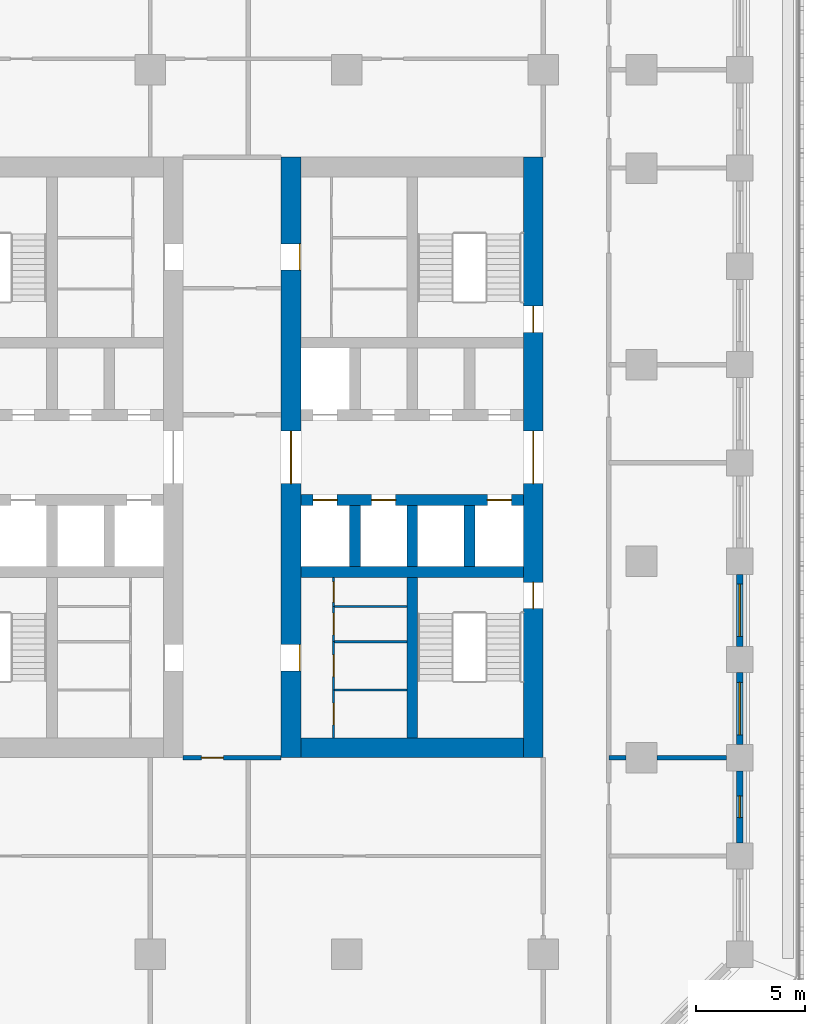
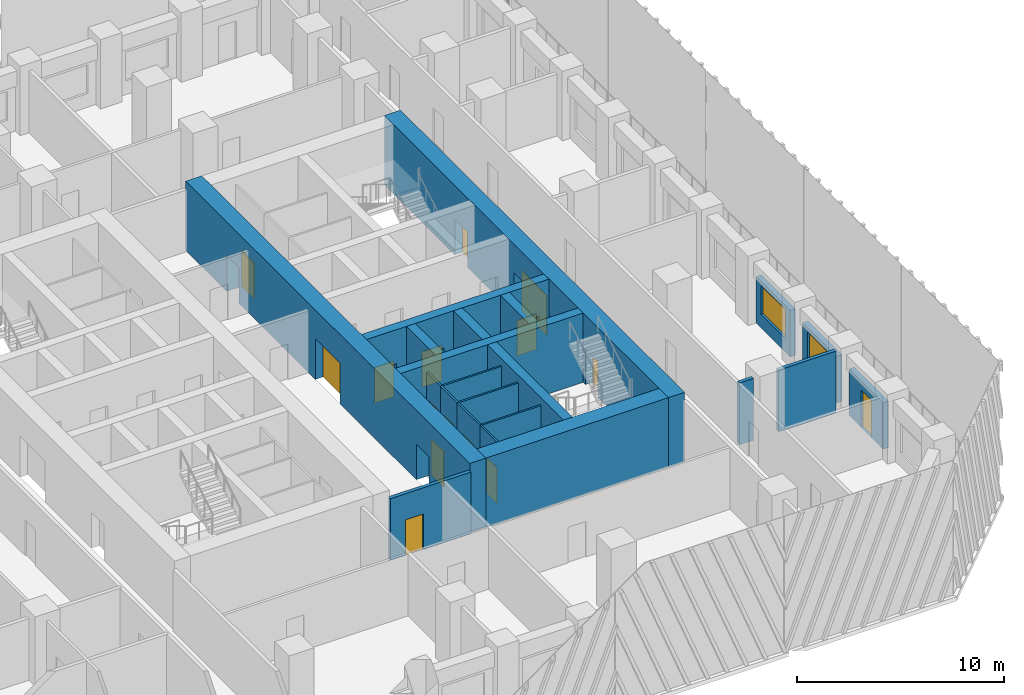
# One storey, part 5 of 19: 22 walls, 15 doors, 2 windows, 17 openings.
"""IFC4 building model written with IfcOpenShell, lengths in metres."""

from ifc_helpers import new_model, si_unit, direction, frame, frame_2d, origin, place, context, subcontext, project, spatial, rectangle, extrude, material, layer, layer_set, type_object, element, fill, save


model = new_model("IFC4")

# Units and contexts
model_context = context("Model", 3, precision=1e-05, world=origin(), true_north=direction((0.0, 1.0)))
body_context = subcontext(model_context, "Body", "Model", "MODEL_VIEW")
ifc_project = project(units=[si_unit("LENGTHUNIT", "METRE"), si_unit("AREAUNIT", "SQUARE_METRE"), si_unit("VOLUMEUNIT", "CUBIC_METRE"), si_unit("PLANEANGLEUNIT", "RADIAN"), si_unit("MASSUNIT", "GRAM", prefix="KILO")], contexts=[model_context])

# Site, building, storey
site_placement = place(None, origin())
site = spatial("IfcSite", under=ifc_project, at=site_placement, CompositionType="ELEMENT")
building_placement = place(site_placement, origin())
building = spatial("IfcBuilding", under=site, at=building_placement, Name="Corbel Stack Research Tower", CompositionType="ELEMENT")
storey_placement = place(building_placement, frame((0.0, 0.0, 133.10009765625)))
storey = spatial("IfcBuildingStorey", under=building, at=storey_placement, Name="L30", CompositionType="ELEMENT", Elevation=133.10009765625)

# Wall
ifc_material_1 = material(Name="Concrete C70/85", Category="concrete")
ifc_layer_1 = layer(ifc_material_1, 0.5)
ifc_layer_set_1 = layer_set([ifc_layer_1], Name="Concrete C70/85")
wall_type_1 = type_object("IfcWallType", Name="CW-500-70", PredefinedType="SHEAR", material=ifc_layer_set_1)
wall_1_placement = place(storey_placement, frame((6.89990234375, -0.5, 0.0), z_axis=(0.0, 0.0, 1.0), x_axis=(1.0, 0.0, 0.0)))
element("IfcWall", 1, at=wall_1_placement, inside=storey, type_object=wall_type_1, Name="East core wall, south row back L30", PredefinedType="SHEAR", context=body_context, shape_type="SweptSolid", body=[
    extrude(rectangle(XDim=10.2001953125, YDim=0.5, at=frame_2d((5.10009765625, 0.0))), origin(), (0.0, 0.0, 1.0), 4.099853515625),
])

# Wall, openings, doors
wall_2_placement = place(storey_placement, frame((6.89990234375, 2.800048828125, 0.0), z_axis=(0.0, 0.0, 1.0), x_axis=(1.0, 0.0, 0.0)))
wall_2 = element("IfcWall", 2, at=wall_2_placement, inside=storey, type_object=wall_type_1, Name="East core wall, lobby south L30", PredefinedType="SHEAR", context=body_context, shape_type="SweptSolid", body=[
    extrude(rectangle(XDim=10.2001953125, YDim=0.5, at=frame_2d((5.10009765625, 0.0))), origin(), (0.0, 0.0, 1.0), 4.099853515625),
])
opening_1_placement = place(wall_2_placement, frame((0.5625, 0.0, 0.0)))
opening_1 = element("IfcOpeningElement", 3, at=opening_1_placement, cuts=wall_2, Name="Opening LD-FS2", PredefinedType="OPENING", context=body_context, shape_type="SweptSolid", body=[
    extrude(rectangle(XDim=1.10009765625, YDim=2.10009765625, at=frame_2d((0.550048828125, 1.050048828125))), frame((0.0, 0.260009765625, 0.0), z_axis=(0.0, -1.0, 0.0), x_axis=(1.0, 0.0, 0.0)), (0.0, 0.0, 1.0), 0.52001953125),
])
opening_2_placement = place(wall_2_placement, frame((3.237548828125, 0.0, 0.0)))
opening_2 = element("IfcOpeningElement", 4, at=opening_2_placement, cuts=wall_2, Name="Opening LD-GL2", PredefinedType="OPENING", context=body_context, shape_type="SweptSolid", body=[
    extrude(rectangle(XDim=1.10009765625, YDim=2.10009765625, at=frame_2d((0.550048828125, 1.050048828125))), frame((0.0, 0.260009765625, 0.0), z_axis=(0.0, -1.0, 0.0), x_axis=(1.0, 0.0, 0.0)), (0.0, 0.0, 1.0), 0.52001953125),
])
opening_3_placement = place(wall_2_placement, frame((8.53759765625, 0.0, 0.0)))
opening_3 = element("IfcOpeningElement", 5, at=opening_3_placement, cuts=wall_2, Name="Opening LD-LR3", PredefinedType="OPENING", context=body_context, shape_type="SweptSolid", body=[
    extrude(rectangle(XDim=1.10009765625, YDim=2.10009765625, at=frame_2d((0.550048828125, 1.050048828125))), frame((0.0, 0.260009765625, 0.0), z_axis=(0.0, -1.0, 0.0), x_axis=(1.0, 0.0, 0.0)), (0.0, 0.0, 1.0), 0.52001953125),
])
ifc_material_2 = material(Name="Stainless steel landing door", Category="steel")
door_type_1 = type_object("IfcDoorType", Name="Lift landing door 1100 x 2100", OperationType="DOUBLE_DOOR_SLIDING", PredefinedType="DOOR", material=ifc_material_2)
door_1_placement = place(opening_1_placement, origin())
door_1 = element("IfcDoor", 6, at=door_1_placement, inside=storey, type_object=door_type_1, Name="Landing door FS2", OperationType="DOUBLE_DOOR_SLIDING", OverallHeight=2.10009765625, OverallWidth=1.10009765625, PredefinedType="DOOR", context=body_context, shape_type="SweptSolid", body=[
    extrude(rectangle(XDim=1.10009765625, YDim=2.10009765625, at=frame_2d((0.550048828125, 1.050048828125))), frame((0.0, 0.02490234375, 0.0), z_axis=(0.0, -1.0, 0.0), x_axis=(1.0, 0.0, 0.0)), (0.0, 0.0, 1.0), 0.050048828125),
])
fill(opening_1, door_1)
door_2_placement = place(opening_2_placement, origin())
door_2 = element("IfcDoor", 7, at=door_2_placement, inside=storey, type_object=door_type_1, Name="Landing door GL2", OperationType="DOUBLE_DOOR_SLIDING", OverallHeight=2.10009765625, OverallWidth=1.10009765625, PredefinedType="DOOR", context=body_context, shape_type="SweptSolid", body=[
    extrude(rectangle(XDim=1.10009765625, YDim=2.10009765625, at=frame_2d((0.550048828125, 1.050048828125))), frame((0.0, 0.02490234375, 0.0), z_axis=(0.0, -1.0, 0.0), x_axis=(1.0, 0.0, 0.0)), (0.0, 0.0, 1.0), 0.050048828125),
])
fill(opening_2, door_2)
door_3_placement = place(opening_3_placement, origin())
door_3 = element("IfcDoor", 8, at=door_3_placement, inside=storey, type_object=door_type_1, Name="Landing door LR3", OperationType="DOUBLE_DOOR_SLIDING", OverallHeight=2.10009765625, OverallWidth=1.10009765625, PredefinedType="DOOR", context=body_context, shape_type="SweptSolid", body=[
    extrude(rectangle(XDim=1.10009765625, YDim=2.10009765625, at=frame_2d((0.550048828125, 1.050048828125))), frame((0.0, 0.02490234375, 0.0), z_axis=(0.0, -1.0, 0.0), x_axis=(1.0, 0.0, 0.0)), (0.0, 0.0, 1.0), 0.050048828125),
])
fill(opening_3, door_3)

# Walls
for number, where, z_axis, x_axis, name in (
    (9, (9.375, -0.25, 0.0), (0.0, 0.0, 1.0), (0.0, 1.0, 0.0), "East core wall, south shaft 1 L30"),
    (10, (12.0, -0.25, 0.0), (0.0, 0.0, 1.0), (0.0, 1.0, 0.0), "East core wall, south shaft 2 L30"),
    (11, (14.625, -0.25, 0.0), (0.0, 0.0, 1.0), (0.0, 1.0, 0.0), "East core wall, south shaft 3 L30"),
):
    element("IfcWall", number, at=place(storey_placement, frame(where, z_axis=z_axis, x_axis=x_axis)), inside=storey, type_object=wall_type_1, Name=name, PredefinedType="SHEAR", context=body_context, shape_type="SweptSolid", body=[
        extrude(rectangle(XDim=2.800048828125, YDim=0.5, at=frame_2d((1.39990234375, 0.0))), origin(), (0.0, 0.0, 1.0), 4.099853515625),
    ])
wall_3_placement = place(storey_placement, frame((12.0, -8.10009765625, 0.0), z_axis=(0.0, 0.0, 1.0), x_axis=(0.0, 1.0, 0.0)))
element("IfcWall", 12, at=wall_3_placement, inside=storey, type_object=wall_type_1, Name="East core wall, south stair and WC L30", PredefinedType="SHEAR", context=body_context, shape_type="SweptSolid", body=[
    extrude(rectangle(XDim=7.35009765625, YDim=0.5, at=frame_2d((3.675048828125, 0.0))), origin(), (0.0, 0.0, 1.0), 4.099853515625),
])

# Wall, openings, doors
ifc_material_3 = material(Name="Concrete C70/85", Category="concrete")
ifc_layer_2 = layer(ifc_material_3, 0.89990234375)
ifc_layer_set_2 = layer_set([ifc_layer_2], Name="Concrete C70/85")
wall_type_2 = type_object("IfcWallType", Name="CW-900-70", PredefinedType="SHEAR", material=ifc_layer_set_2)
wall_4_placement = place(storey_placement, frame((6.449951171875, -9.0, 0.0), z_axis=(0.0, 0.0, 1.0), x_axis=(0.0, 1.0, 0.0)))
wall_4 = element("IfcWall", 13, at=wall_4_placement, inside=storey, type_object=wall_type_2, Name="East core wall, west face L30", PredefinedType="SHEAR", context=body_context, shape_type="SweptSolid", body=[
    extrude(rectangle(XDim=27.5, YDim=0.89990234375, at=frame_2d((13.75, 0.0))), origin(), (0.0, 0.0, 1.0), 4.099853515625),
])
opening_4_placement = place(wall_4_placement, frame((12.550048828125, 0.0, 0.0)))
opening_4 = element("IfcOpeningElement", 14, at=opening_4_placement, cuts=wall_4, Name="Opening CD-E-W", PredefinedType="OPENING", context=body_context, shape_type="SweptSolid", body=[
    extrude(rectangle(XDim=2.39990234375, YDim=2.39990234375, at=frame_2d((1.199951171875, 1.199951171875))), frame((0.0, 0.4599609375, 0.0), z_axis=(0.0, -1.0, 0.0), x_axis=(1.0, 0.0, 0.0)), (0.0, 0.0, 1.0), 0.919921875),
])
opening_5_placement = place(wall_4_placement, frame((3.97509765625, 0.0, 0.0)))
opening_5 = element("IfcOpeningElement", 15, at=opening_5_placement, cuts=wall_4, Name="Opening CR-E42-W1-1200", PredefinedType="OPENING", context=body_context, shape_type="SweptSolid", body=[
    extrude(rectangle(XDim=1.199951171875, YDim=2.10009765625, at=frame_2d((0.60009765625, 1.050048828125))), frame((0.0, 0.4599609375, 0.0), z_axis=(0.0, -1.0, 0.0), x_axis=(1.0, 0.0, 0.0)), (0.0, 0.0, 1.0), 0.919921875),
])
opening_6_placement = place(wall_4_placement, frame((22.324951171875, 0.0, 0.0)))
opening_6 = element("IfcOpeningElement", 16, at=opening_6_placement, cuts=wall_4, Name="Opening CR-E42-R1-1200", PredefinedType="OPENING", context=body_context, shape_type="SweptSolid", body=[
    extrude(rectangle(XDim=1.199951171875, YDim=2.10009765625, at=frame_2d((0.60009765625, 1.050048828125))), frame((0.0, 0.4599609375, 0.0), z_axis=(0.0, -1.0, 0.0), x_axis=(1.0, 0.0, 0.0)), (0.0, 0.0, 1.0), 0.919921875),
])
ifc_material_4 = material(Name="Painted steel fire door", Category="steel")
door_type_2 = type_object("IfcDoorType", Name="Lobby door pair 2400 x 2400 FD30S", OperationType="DOUBLE_DOOR_DOUBLE_SWING", PredefinedType="DOOR", material=ifc_material_4)
door_4_placement = place(opening_4_placement, origin())
door_4 = element("IfcDoor", 17, at=door_4_placement, inside=storey, type_object=door_type_2, Name="Lift lobby door E core W", OperationType="DOUBLE_DOOR_DOUBLE_SWING", OverallHeight=2.39990234375, OverallWidth=2.39990234375, PredefinedType="DOOR", context=body_context, shape_type="SweptSolid", body=[
    extrude(rectangle(XDim=2.39990234375, YDim=2.39990234375, at=frame_2d((1.199951171875, 1.199951171875))), frame((0.0, 0.02490234375, 0.0), z_axis=(0.0, -1.0, 0.0), x_axis=(1.0, 0.0, 0.0)), (0.0, 0.0, 1.0), 0.050048828125),
])
fill(opening_4, door_4)
ifc_material_5 = material(Name="Painted steel door", Category="steel")
door_type_3 = type_object("IfcDoorType", Name="Service door 1200 x 2100 FD30 right hand", OperationType="SINGLE_SWING_RIGHT", PredefinedType="DOOR", material=ifc_material_5)
door_5_placement = place(opening_6_placement, origin())
door_5 = element("IfcDoor", 18, at=door_5_placement, inside=storey, type_object=door_type_3, Name="Service passage door E core", OperationType="SINGLE_SWING_RIGHT", OverallHeight=2.10009765625, OverallWidth=1.199951171875, PredefinedType="DOOR", context=body_context, shape_type="SweptSolid", body=[
    extrude(rectangle(XDim=1.199951171875, YDim=2.10009765625, at=frame_2d((0.60009765625, 1.050048828125))), frame((0.0, -0.375, 0.0), z_axis=(0.0, -1.0, 0.0), x_axis=(1.0, 0.0, 0.0)), (0.0, 0.0, 1.0), 0.050048828125),
])
fill(opening_6, door_5)
ifc_material_6 = material(Name="Painted timber door", Category="wood")
door_type_4 = type_object("IfcDoorType", Name="WC door 1200 x 2100 right hand", OperationType="SINGLE_SWING_RIGHT", PredefinedType="DOOR", material=ifc_material_6)
door_6_placement = place(opening_5_placement, origin())
door_6 = element("IfcDoor", 19, at=door_6_placement, inside=storey, type_object=door_type_4, Name="WC lobby door E core", OperationType="SINGLE_SWING_RIGHT", OverallHeight=2.10009765625, OverallWidth=1.199951171875, PredefinedType="DOOR", context=body_context, shape_type="SweptSolid", body=[
    extrude(rectangle(XDim=1.199951171875, YDim=2.10009765625, at=frame_2d((0.60009765625, 1.050048828125))), frame((0.0, -0.375, 0.0), z_axis=(0.0, -1.0, 0.0), x_axis=(1.0, 0.0, 0.0)), (0.0, 0.0, 1.0), 0.050048828125),
])
fill(opening_5, door_6)

wall_5_placement = place(storey_placement, frame((17.550048828125, -9.0, 0.0), z_axis=(0.0, 0.0, 1.0), x_axis=(0.0, 1.0, 0.0)))
wall_5 = element("IfcWall", 20, at=wall_5_placement, inside=storey, type_object=wall_type_2, Name="East core wall, east face L30", PredefinedType="SHEAR", context=body_context, shape_type="SweptSolid", body=[
    extrude(rectangle(XDim=27.5, YDim=0.89990234375, at=frame_2d((13.75, 0.0))), origin(), (0.0, 0.0, 1.0), 4.099853515625),
])
opening_7_placement = place(wall_5_placement, frame((12.550048828125, 0.0, 0.0)))
opening_7 = element("IfcOpeningElement", 21, at=opening_7_placement, cuts=wall_5, Name="Opening CD-E-E", PredefinedType="OPENING", context=body_context, shape_type="SweptSolid", body=[
    extrude(rectangle(XDim=2.39990234375, YDim=2.39990234375, at=frame_2d((1.199951171875, 1.199951171875))), frame((0.0, 0.4599609375, 0.0), z_axis=(0.0, -1.0, 0.0), x_axis=(1.0, 0.0, 0.0)), (0.0, 0.0, 1.0), 0.919921875),
])
opening_8_placement = place(wall_5_placement, frame((6.824951171875, 0.0, 0.0)))
opening_8 = element("IfcOpeningElement", 22, at=opening_8_placement, cuts=wall_5, Name="Opening SD-ST-E1", PredefinedType="OPENING", context=body_context, shape_type="SweptSolid", body=[
    extrude(rectangle(XDim=1.199951171875, YDim=2.10009765625, at=frame_2d((0.60009765625, 1.050048828125))), frame((0.0, 0.4599609375, 0.0), z_axis=(0.0, -1.0, 0.0), x_axis=(1.0, 0.0, 0.0)), (0.0, 0.0, 1.0), 0.919921875),
])
opening_9_placement = place(wall_5_placement, frame((19.47509765625, 0.0, 0.0)))
opening_9 = element("IfcOpeningElement", 23, at=opening_9_placement, cuts=wall_5, Name="Opening SD-ST-E2", PredefinedType="OPENING", context=body_context, shape_type="SweptSolid", body=[
    extrude(rectangle(XDim=1.199951171875, YDim=2.10009765625, at=frame_2d((0.60009765625, 1.050048828125))), frame((0.0, 0.4599609375, 0.0), z_axis=(0.0, -1.0, 0.0), x_axis=(1.0, 0.0, 0.0)), (0.0, 0.0, 1.0), 0.919921875),
])
door_7_placement = place(opening_7_placement, origin())
door_7 = element("IfcDoor", 24, at=door_7_placement, inside=storey, type_object=door_type_2, Name="Lift lobby door E core E", OperationType="DOUBLE_DOOR_DOUBLE_SWING", OverallHeight=2.39990234375, OverallWidth=2.39990234375, PredefinedType="DOOR", context=body_context, shape_type="SweptSolid", body=[
    extrude(rectangle(XDim=2.39990234375, YDim=2.39990234375, at=frame_2d((1.199951171875, 1.199951171875))), frame((0.0, 0.02490234375, 0.0), z_axis=(0.0, -1.0, 0.0), x_axis=(1.0, 0.0, 0.0)), (0.0, 0.0, 1.0), 0.050048828125),
])
fill(opening_7, door_7)
ifc_material_7 = material(Name="Painted steel fire door", Category="steel")
door_type_5 = type_object("IfcDoorType", Name="Stair door 1200 x 2100 FD90 right hand", OperationType="SINGLE_SWING_RIGHT", PredefinedType="DOOR", material=ifc_material_7)
door_8_placement = place(opening_8_placement, frame((1.199951171875, 0.0, 0.0), z_axis=(0.0, 0.0, 1.0), x_axis=(-1.0, 0.0, 0.0)))
door_8 = element("IfcDoor", 25, at=door_8_placement, inside=storey, type_object=door_type_5, Name="Stair door ST-E1", OperationType="SINGLE_SWING_LEFT", OverallHeight=2.10009765625, OverallWidth=1.199951171875, PredefinedType="DOOR", context=body_context, shape_type="SweptSolid", body=[
    extrude(rectangle(XDim=1.199951171875, YDim=2.10009765625, at=frame_2d((0.60009765625, 1.050048828125))), frame((0.0, 0.02490234375, 0.0), z_axis=(0.0, -1.0, 0.0), x_axis=(1.0, 0.0, 0.0)), (0.0, 0.0, 1.0), 0.050048828125),
])
fill(opening_8, door_8)
door_9_placement = place(opening_9_placement, frame((1.199951171875, 0.0, 0.0), z_axis=(0.0, 0.0, 1.0), x_axis=(-1.0, 0.0, 0.0)))
door_9 = element("IfcDoor", 26, at=door_9_placement, inside=storey, type_object=door_type_5, Name="Stair door ST-E2", OperationType="SINGLE_SWING_LEFT", OverallHeight=2.10009765625, OverallWidth=1.199951171875, PredefinedType="DOOR", context=body_context, shape_type="SweptSolid", body=[
    extrude(rectangle(XDim=1.199951171875, YDim=2.10009765625, at=frame_2d((0.60009765625, 1.050048828125))), frame((0.0, 0.02490234375, 0.0), z_axis=(0.0, -1.0, 0.0), x_axis=(1.0, 0.0, 0.0)), (0.0, 0.0, 1.0), 0.050048828125),
])
fill(opening_9, door_9)

# Wall
wall_6_placement = place(storey_placement, frame((6.89990234375, -8.550048828125, 0.0), z_axis=(0.0, 0.0, 1.0), x_axis=(1.0, 0.0, 0.0)))
element("IfcWall", 27, at=wall_6_placement, inside=storey, type_object=wall_type_2, Name="East core wall, south end L30", PredefinedType="SHEAR", context=body_context, shape_type="SweptSolid", body=[
    extrude(rectangle(XDim=10.2001953125, YDim=0.89990234375, at=frame_2d((5.10009765625, 0.0))), origin(), (0.0, 0.0, 1.0), 4.099853515625),
])

# Wall, opening, door
ifc_material_8 = material(Name="Gypsum board")
ifc_layer_3 = layer(ifc_material_8, 0.10009765625)
ifc_layer_set_3 = layer_set([ifc_layer_3], Name="Gypsum board")
wall_type_3 = type_object("IfcWallType", Name="Core partition 100", PredefinedType="PARTITIONING", material=ifc_layer_set_3)
wall_7_placement = place(storey_placement, frame((8.39990234375, -8.10009765625, 0.0), z_axis=(0.0, 0.0, 1.0), x_axis=(0.0, 1.0, 0.0)))
wall_7 = element("IfcWall", 28, at=wall_7_placement, inside=storey, type_object=wall_type_3, Name="Core partition E", PredefinedType="PARTITIONING", context=body_context, shape_type="SweptSolid", body=[
    extrude(rectangle(XDim=2.205078125, YDim=0.10009765625, at=frame_2d((1.1025390625, 0.0))), origin(), (0.0, 0.0, 1.0), 3.64990234375),
])
opening_10_placement = place(wall_7_placement, frame((0.6025390625, 0.0, 0.0)))
opening_10 = element("IfcOpeningElement", 29, at=opening_10_placement, cuts=wall_7, Name="Opening CR-E42-W2-1000", PredefinedType="OPENING", context=body_context, shape_type="SweptSolid", body=[
    extrude(rectangle(XDim=1.0, YDim=2.10009765625, at=frame_2d((0.5, 1.050048828125))), frame((0.0, 0.06005859375, 0.0), z_axis=(0.0, -1.0, 0.0), x_axis=(1.0, 0.0, 0.0)), (0.0, 0.0, 1.0), 0.1201171875),
])
ifc_material_9 = material(Name="Painted timber door", Category="wood")
door_type_6 = type_object("IfcDoorType", Name="WC door 1000 x 2100 left hand", OperationType="SINGLE_SWING_LEFT", PredefinedType="DOOR", material=ifc_material_9)
door_10_placement = place(opening_10_placement, origin())
door_10 = element("IfcDoor", 30, at=door_10_placement, inside=storey, type_object=door_type_6, Name="Men's WC door E core", OperationType="SINGLE_SWING_LEFT", OverallHeight=2.10009765625, OverallWidth=1.0, PredefinedType="DOOR", context=body_context, shape_type="SweptSolid", body=[
    extrude(rectangle(XDim=1.0, YDim=2.10009765625, at=frame_2d((0.5, 1.050048828125))), frame((0.0, 0.02490234375, 0.0), z_axis=(0.0, -1.0, 0.0), x_axis=(1.0, 0.0, 0.0)), (0.0, 0.0, 1.0), 0.050048828125),
])
fill(opening_10, door_10)

wall_8_placement = place(storey_placement, frame((8.39990234375, -5.89501953125, 0.0), z_axis=(0.0, 0.0, 1.0), x_axis=(0.0, 1.0, 0.0)))
wall_8 = element("IfcWall", 31, at=wall_8_placement, inside=storey, type_object=wall_type_3, Name="Core partition E", PredefinedType="PARTITIONING", context=body_context, shape_type="SweptSolid", body=[
    extrude(rectangle(XDim=2.205078125, YDim=0.10009765625, at=frame_2d((1.1025390625, 0.0))), origin(), (0.0, 0.0, 1.0), 3.64990234375),
])
opening_11_placement = place(wall_8_placement, frame((0.6025390625, 0.0, 0.0)))
opening_11 = element("IfcOpeningElement", 32, at=opening_11_placement, cuts=wall_8, Name="Opening CR-E42-W3-1000", PredefinedType="OPENING", context=body_context, shape_type="SweptSolid", body=[
    extrude(rectangle(XDim=1.0, YDim=2.10009765625, at=frame_2d((0.5, 1.050048828125))), frame((0.0, 0.06005859375, 0.0), z_axis=(0.0, -1.0, 0.0), x_axis=(1.0, 0.0, 0.0)), (0.0, 0.0, 1.0), 0.1201171875),
])
ifc_material_10 = material(Name="Painted timber door", Category="wood")
door_type_7 = type_object("IfcDoorType", Name="WC door 1000 x 2100 right hand", OperationType="SINGLE_SWING_RIGHT", PredefinedType="DOOR", material=ifc_material_10)
door_11_placement = place(opening_11_placement, origin())
door_11 = element("IfcDoor", 33, at=door_11_placement, inside=storey, type_object=door_type_7, Name="Women's WC door E core", OperationType="SINGLE_SWING_RIGHT", OverallHeight=2.10009765625, OverallWidth=1.0, PredefinedType="DOOR", context=body_context, shape_type="SweptSolid", body=[
    extrude(rectangle(XDim=1.0, YDim=2.10009765625, at=frame_2d((0.5, 1.050048828125))), frame((0.0, 0.02490234375, 0.0), z_axis=(0.0, -1.0, 0.0), x_axis=(1.0, 0.0, 0.0)), (0.0, 0.0, 1.0), 0.050048828125),
])
fill(opening_11, door_11)

wall_9_placement = place(storey_placement, frame((8.39990234375, -3.68994140625, 0.0), z_axis=(0.0, 0.0, 1.0), x_axis=(0.0, 1.0, 0.0)))
wall_9 = element("IfcWall", 34, at=wall_9_placement, inside=storey, type_object=wall_type_3, Name="Core partition E", PredefinedType="PARTITIONING", context=body_context, shape_type="SweptSolid", body=[
    extrude(rectangle(XDim=1.616943359375, YDim=0.10009765625, at=frame_2d((0.80859375, 0.0))), origin(), (0.0, 0.0, 1.0), 3.64990234375),
])
opening_12_placement = place(wall_9_placement, frame((0.30859375, 0.0, 0.0)))
opening_12 = element("IfcOpeningElement", 35, at=opening_12_placement, cuts=wall_9, Name="Opening CR-E42-W4-1000", PredefinedType="OPENING", context=body_context, shape_type="SweptSolid", body=[
    extrude(rectangle(XDim=1.0, YDim=2.10009765625, at=frame_2d((0.5, 1.050048828125))), frame((0.0, 0.06005859375, 0.0), z_axis=(0.0, -1.0, 0.0), x_axis=(1.0, 0.0, 0.0)), (0.0, 0.0, 1.0), 0.1201171875),
])
door_12_placement = place(opening_12_placement, origin())
door_12 = element("IfcDoor", 36, at=door_12_placement, inside=storey, type_object=door_type_6, Name="Accessible WC door E core", OperationType="SINGLE_SWING_LEFT", OverallHeight=2.10009765625, OverallWidth=1.0, PredefinedType="DOOR", context=body_context, shape_type="SweptSolid", body=[
    extrude(rectangle(XDim=1.0, YDim=2.10009765625, at=frame_2d((0.5, 1.050048828125))), frame((0.0, 0.02490234375, 0.0), z_axis=(0.0, -1.0, 0.0), x_axis=(1.0, 0.0, 0.0)), (0.0, 0.0, 1.0), 0.050048828125),
])
fill(opening_12, door_12)

wall_10_placement = place(storey_placement, frame((8.39990234375, -2.072998046875, 0.0), z_axis=(0.0, 0.0, 1.0), x_axis=(0.0, 1.0, 0.0)))
wall_10 = element("IfcWall", 37, at=wall_10_placement, inside=storey, type_object=wall_type_3, Name="Core partition E", PredefinedType="PARTITIONING", context=body_context, shape_type="SweptSolid", body=[
    extrude(rectangle(XDim=1.322998046875, YDim=0.10009765625, at=frame_2d((0.66162109375, 0.0))), origin(), (0.0, 0.0, 1.0), 3.64990234375),
])
opening_13_placement = place(wall_10_placement, frame((0.199951171875, 0.0, 0.0)))
opening_13 = element("IfcOpeningElement", 38, at=opening_13_placement, cuts=wall_10, Name="Opening CR-E42-W5-923", PredefinedType="OPENING", context=body_context, shape_type="SweptSolid", body=[
    extrude(rectangle(XDim=0.923095703125, YDim=2.10009765625, at=frame_2d((0.46142578125, 1.050048828125))), frame((0.0, 0.06005859375, 0.0), z_axis=(0.0, -1.0, 0.0), x_axis=(1.0, 0.0, 0.0)), (0.0, 0.0, 1.0), 0.1201171875),
])
ifc_material_11 = material(Name="Painted steel door", Category="steel")
door_type_8 = type_object("IfcDoorType", Name="Service door 923 x 2100 FD30 right hand", OperationType="SINGLE_SWING_RIGHT", PredefinedType="DOOR", material=ifc_material_11)
door_13_placement = place(opening_13_placement, origin())
door_13 = element("IfcDoor", 39, at=door_13_placement, inside=storey, type_object=door_type_8, Name="Cleaner's store door E core", OperationType="SINGLE_SWING_RIGHT", OverallHeight=2.10009765625, OverallWidth=0.923095703125, PredefinedType="DOOR", context=body_context, shape_type="SweptSolid", body=[
    extrude(rectangle(XDim=0.923095703125, YDim=2.10009765625, at=frame_2d((0.46142578125, 1.050048828125))), frame((0.0, 0.02490234375, 0.0), z_axis=(0.0, -1.0, 0.0), x_axis=(1.0, 0.0, 0.0)), (0.0, 0.0, 1.0), 0.050048828125),
])
fill(opening_13, door_13)

# Walls
for number, where, z_axis, x_axis, name in (
    (40, (8.39990234375, -5.89501953125, 0.0), (0.0, 0.0, 1.0), (1.0, 0.0, 0.0), "Core partition E"),
    (41, (8.39990234375, -3.68994140625, 0.0), (0.0, 0.0, 1.0), (1.0, 0.0, 0.0), "Core partition E"),
    (42, (8.39990234375, -2.072998046875, 0.0), (0.0, 0.0, 1.0), (1.0, 0.0, 0.0), "Core partition E"),
):
    element("IfcWall", number, at=place(storey_placement, frame(where, z_axis=z_axis, x_axis=x_axis)), inside=storey, type_object=wall_type_3, Name=name, PredefinedType="PARTITIONING", context=body_context, shape_type="SweptSolid", body=[
        extrude(rectangle(XDim=3.35009765625, YDim=0.10009765625, at=frame_2d((1.675048828125, 0.0))), origin(), (0.0, 0.0, 1.0), 3.64990234375),
    ])

# Wall, opening, door
ifc_material_12 = material(Name="Fire-rated gypsum board partition on steel studs", Category="steel")
ifc_layer_4 = layer(ifc_material_12, 0.199951171875)
ifc_layer_set_4 = layer_set([ifc_layer_4], Name="Fire-rated gypsum board partition on steel studs")
wall_type_4 = type_object("IfcWallType", Name="Fire-rated partition 200 EI 60", PredefinedType="PARTITIONING", material=ifc_layer_set_4)
wall_11_placement = place(storey_placement, frame((6.0, -9.0, 0.0), z_axis=(0.0, 0.0, 1.0), x_axis=(-1.0, 0.0, 0.0)))
wall_11 = element("IfcWall", 43, at=wall_11_placement, inside=storey, type_object=wall_type_4, Name="Partition L30-030", PredefinedType="PARTITIONING", context=body_context, shape_type="SweptSolid", body=[
    extrude(rectangle(XDim=4.5, YDim=0.199951171875, at=frame_2d((2.25, 0.0))), origin(), (0.0, 0.0, 1.0), 3.64990234375),
])
opening_14_placement = place(wall_11_placement, frame((2.64990234375, 0.0, 0.0)))
opening_14 = element("IfcOpeningElement", 44, at=opening_14_placement, cuts=wall_11, Name="Opening B4V1-022", PredefinedType="OPENING", context=body_context, shape_type="SweptSolid", body=[
    extrude(rectangle(XDim=1.0, YDim=2.10009765625, at=frame_2d((0.5, 1.050048828125))), frame((0.0, 0.10986328125, 0.0), z_axis=(0.0, -1.0, 0.0), x_axis=(1.0, 0.0, 0.0)), (0.0, 0.0, 1.0), 0.219970703125),
])
ifc_material_13 = material(Name="Painted steel fire door", Category="steel")
door_type_9 = type_object("IfcDoorType", Name="Fire door FD30S 1000 x 2100", OperationType="NOTDEFINED", PredefinedType="DOOR", material=ifc_material_13)
door_14_placement = place(opening_14_placement, origin())
door_14 = element("IfcDoor", 45, at=door_14_placement, inside=storey, type_object=door_type_9, Name="Door B4V1-022", OperationType="SINGLE_SWING_RIGHT", OverallHeight=2.10009765625, OverallWidth=1.0, PredefinedType="DOOR", context=body_context, shape_type="SweptSolid", body=[
    extrude(rectangle(XDim=1.0, YDim=2.10009765625, at=frame_2d((0.5, 1.050048828125))), frame((0.0, 0.02490234375, 0.0), z_axis=(0.0, -1.0, 0.0), x_axis=(1.0, 0.0, 0.0)), (0.0, 0.0, 1.0), 0.050048828125),
])
fill(opening_14, door_14)

# Walls
wall_12_placement = place(storey_placement, frame((21.0, -9.0, 0.0), z_axis=(0.0, 0.0, 1.0), x_axis=(1.0, 0.0, 0.0)))
element("IfcWall", 46, at=wall_12_placement, inside=storey, type_object=wall_type_4, Name="Partition L30-031", PredefinedType="PARTITIONING", context=body_context, shape_type="SweptSolid", body=[
    extrude(rectangle(XDim=0.800048828125, YDim=0.199951171875, at=frame_2d((0.39990234375, 0.0))), origin(), (0.0, 0.0, 1.0), 3.64990234375),
])
wall_13_placement = place(storey_placement, frame((23.199951171875, -9.0, 0.0), z_axis=(0.0, 0.0, 1.0), x_axis=(1.0, 0.0, 0.0)))
element("IfcWall", 47, at=wall_13_placement, inside=storey, type_object=wall_type_4, Name="Partition L30-032", PredefinedType="PARTITIONING", context=body_context, shape_type="SweptSolid", body=[
    extrude(rectangle(XDim=3.199951171875, YDim=0.199951171875, at=frame_2d((1.60009765625, 0.0))), origin(), (0.0, 0.0, 1.0), 3.64990234375),
])

# Wall, opening, door
ifc_material_14 = material(Name="Concrete C45/55", Category="concrete")
ifc_layer_5 = layer(ifc_material_14, 0.300048828125)
ifc_layer_set_5 = layer_set([ifc_layer_5], Name="Concrete C45/55")
wall_type_5 = type_object("IfcWallType", Name="Terracotta-faced concrete wall 300", PredefinedType="SOLIDWALL", material=ifc_layer_set_5)
wall_14_placement = place(storey_placement, frame((27.0, -9.60009765625, 0.0), z_axis=(0.0, 0.0, 1.0), x_axis=(0.0, -1.0, 0.0)))
wall_14 = element("IfcWall", 48, at=wall_14_placement, inside=storey, type_object=wall_type_5, Name="Facade wall L30 E02", PredefinedType="SOLIDWALL", context=body_context, shape_type="SweptSolid", body=[
    extrude(rectangle(XDim=3.2998046875, YDim=0.300048828125, at=frame_2d((1.64990234375, 0.0))), origin(), (0.0, 0.0, 1.0), 2.75),
])
opening_15_placement = place(wall_14_placement, frame((1.14990234375, 0.0, 0.0)))
opening_15 = element("IfcOpeningElement", 49, at=opening_15_placement, cuts=wall_14, Name="Opening L30-B04", PredefinedType="OPENING", context=body_context, shape_type="SweptSolid", body=[
    extrude(rectangle(XDim=1.0, YDim=2.199951171875, at=frame_2d((0.5, 1.10009765625))), frame((0.0, 0.159912109375, 0.0), z_axis=(0.0, -1.0, 0.0), x_axis=(1.0, 0.0, 0.0)), (0.0, 0.0, 1.0), 0.320068359375),
])
ifc_material_15 = material(Name="Aluminium frame, clear double glazing", Category="aluminium")
door_type_10 = type_object("IfcDoorType", Name="Balcony door BD1 1000 x 2200", OperationType="NOTDEFINED", PredefinedType="DOOR", material=ifc_material_15)
door_15_placement = place(opening_15_placement, origin())
door_15 = element("IfcDoor", 50, at=door_15_placement, inside=storey, type_object=door_type_10, Name="Balcony door L30-B04", OperationType="SINGLE_SWING_RIGHT", OverallHeight=2.199951171875, OverallWidth=1.0, PredefinedType="DOOR", context=body_context, shape_type="SweptSolid", body=[
    extrude(rectangle(XDim=1.0, YDim=2.199951171875, at=frame_2d((0.5, 1.10009765625))), frame((0.0, 0.02490234375, 0.0), z_axis=(0.0, -1.0, 0.0), x_axis=(1.0, 0.0, 0.0)), (0.0, 0.0, 1.0), 0.050048828125),
])
fill(opening_15, door_15)

# Wall, opening, window
wall_15_placement = place(storey_placement, frame((27.0, -5.10009765625, 0.0), z_axis=(0.0, 0.0, 1.0), x_axis=(0.0, -1.0, 0.0)))
wall_15 = element("IfcWall", 51, at=wall_15_placement, inside=storey, type_object=wall_type_5, Name="Facade wall L30 E03", PredefinedType="SOLIDWALL", context=body_context, shape_type="SweptSolid", body=[
    extrude(rectangle(XDim=3.2998046875, YDim=0.300048828125, at=frame_2d((1.64990234375, 0.0))), origin(), (0.0, 0.0, 1.0), 2.75),
])
opening_16_placement = place(wall_15_placement, frame((0.449951171875, 0.0, 0.800048828125)))
opening_16 = element("IfcOpeningElement", 52, at=opening_16_placement, cuts=wall_15, Name="Opening W1", PredefinedType="OPENING", context=body_context, shape_type="SweptSolid", body=[
    extrude(rectangle(XDim=2.39990234375, YDim=1.699951171875, at=frame_2d((1.199951171875, 0.85009765625))), frame((0.0, 0.159912109375, 0.0), z_axis=(0.0, -1.0, 0.0), x_axis=(1.0, 0.0, 0.0)), (0.0, 0.0, 1.0), 0.320068359375),
])
ifc_material_16 = material(Name="Aluminium frame, clear double glazing", Category="aluminium")
window_type = type_object("IfcWindowType", Name="Window W1 2400 x 1700", PartitioningType="SINGLE_PANEL", PredefinedType="WINDOW", material=ifc_material_16)
window_1_placement = place(opening_16_placement, origin())
window_1 = element("IfcWindow", 53, at=window_1_placement, inside=storey, type_object=window_type, Name="Window W1 L30 E03", OverallHeight=1.699951171875, OverallWidth=2.39990234375, PartitioningType="SINGLE_PANEL", PredefinedType="WINDOW", context=body_context, shape_type="SweptSolid", body=[
    extrude(rectangle(XDim=2.39990234375, YDim=1.699951171875, at=frame_2d((1.199951171875, 0.85009765625))), frame((0.0, 0.030029296875, 0.0), z_axis=(0.0, -1.0, 0.0), x_axis=(1.0, 0.0, 0.0)), (0.0, 0.0, 1.0), 0.06005859375),
])
fill(opening_16, window_1)

wall_16_placement = place(storey_placement, frame((27.0, -0.60009765625, 0.0), z_axis=(0.0, 0.0, 1.0), x_axis=(0.0, -1.0, 0.0)))
wall_16 = element("IfcWall", 54, at=wall_16_placement, inside=storey, type_object=wall_type_5, Name="Facade wall L30 E04", PredefinedType="SOLIDWALL", context=body_context, shape_type="SweptSolid", body=[
    extrude(rectangle(XDim=3.2998046875, YDim=0.300048828125, at=frame_2d((1.64990234375, 0.0))), origin(), (0.0, 0.0, 1.0), 2.75),
])
opening_17_placement = place(wall_16_placement, frame((0.449951171875, 0.0, 0.800048828125)))
opening_17 = element("IfcOpeningElement", 55, at=opening_17_placement, cuts=wall_16, Name="Opening W1", PredefinedType="OPENING", context=body_context, shape_type="SweptSolid", body=[
    extrude(rectangle(XDim=2.39990234375, YDim=1.699951171875, at=frame_2d((1.199951171875, 0.85009765625))), frame((0.0, 0.159912109375, 0.0), z_axis=(0.0, -1.0, 0.0), x_axis=(1.0, 0.0, 0.0)), (0.0, 0.0, 1.0), 0.320068359375),
])
window_2_placement = place(opening_17_placement, origin())
window_2 = element("IfcWindow", 56, at=window_2_placement, inside=storey, type_object=window_type, Name="Window W1 L30 E04", OverallHeight=1.699951171875, OverallWidth=2.39990234375, PartitioningType="SINGLE_PANEL", PredefinedType="WINDOW", context=body_context, shape_type="SweptSolid", body=[
    extrude(rectangle(XDim=2.39990234375, YDim=1.699951171875, at=frame_2d((1.199951171875, 0.85009765625))), frame((0.0, 0.030029296875, 0.0), z_axis=(0.0, -1.0, 0.0), x_axis=(1.0, 0.0, 0.0)), (0.0, 0.0, 1.0), 0.06005859375),
])
fill(opening_17, window_2)

save(model, "model.ifc")
